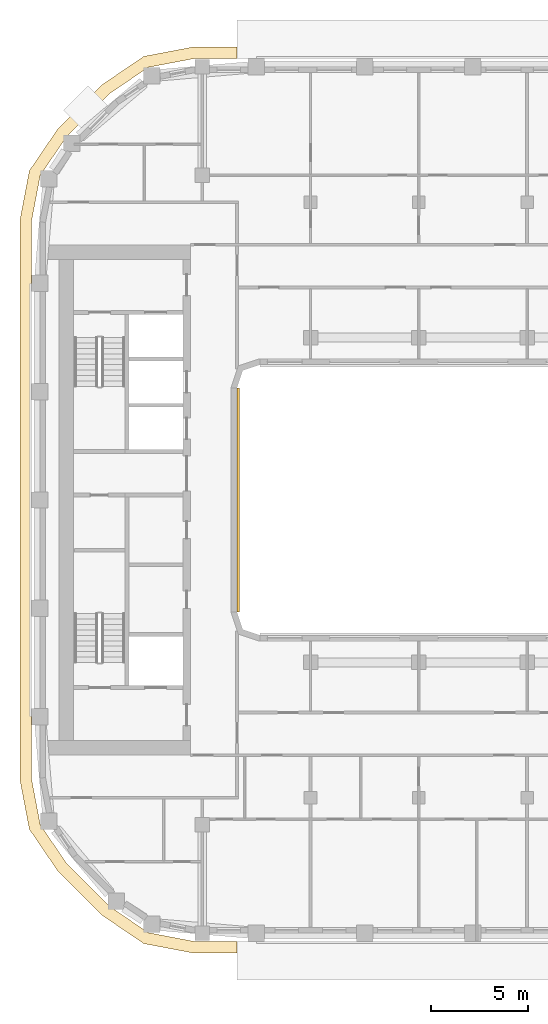
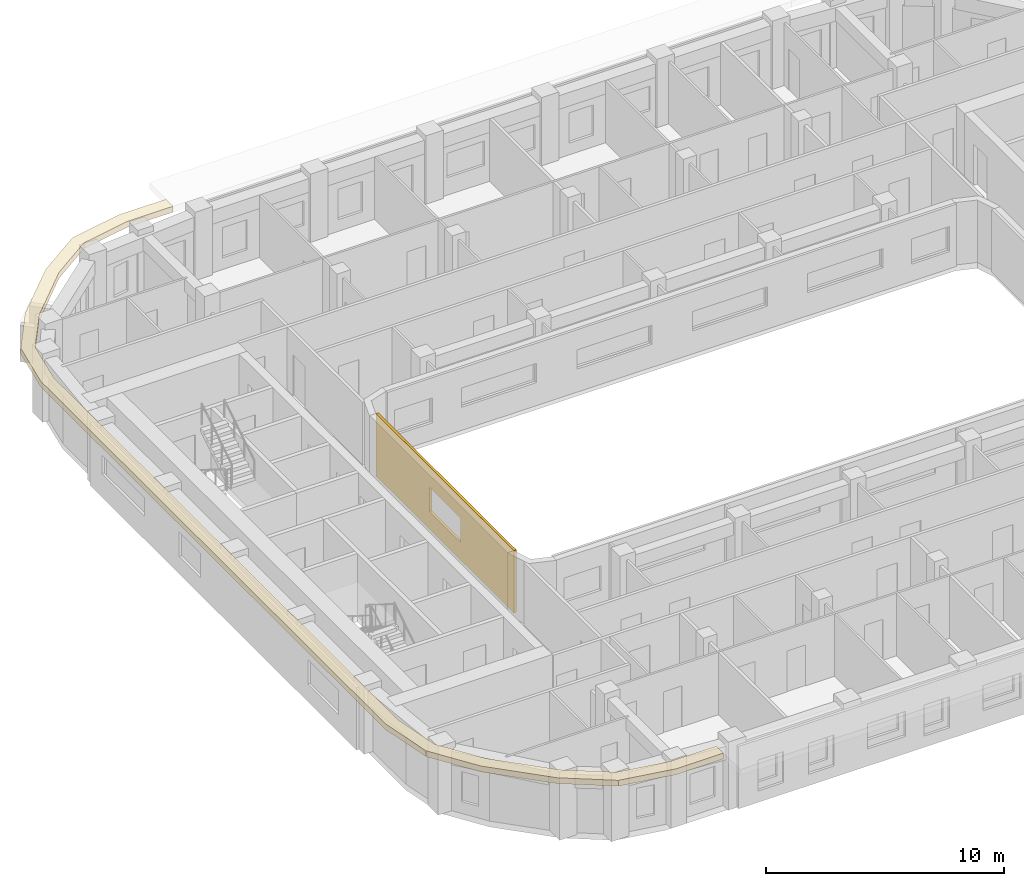
# One storey, part 13 of 21: 2 coverings.
"""IFC4 building model written with IfcOpenShell, lengths in metres."""

from ifc_helpers import new_model, si_unit, direction, frame, origin, place, context, subcontext, project, spatial, polyline, outline, extrude, material, layer, layer_set, type_object, element, save


model = new_model("IFC4")

# Units and contexts
model_context = context("Model", 3, precision=1e-05, world=origin(), true_north=direction((0.0, 1.0)))
body_context = subcontext(model_context, "Body", "Model", "MODEL_VIEW")
ifc_project = project(units=[si_unit("LENGTHUNIT", "METRE"), si_unit("AREAUNIT", "SQUARE_METRE"), si_unit("VOLUMEUNIT", "CUBIC_METRE"), si_unit("PLANEANGLEUNIT", "RADIAN"), si_unit("MASSUNIT", "GRAM", prefix="KILO")], contexts=[model_context])

# Site, building, storey
site_placement = place(None, origin())
site = spatial("IfcSite", under=ifc_project, at=site_placement, CompositionType="ELEMENT")
building_placement = place(site_placement, origin())
building = spatial("IfcBuilding", under=site, at=building_placement, Name="Kiln Ring Residences", CompositionType="ELEMENT")
storey_placement = place(building_placement, frame((0.0, 0.0, 216.89990234375)))
storey = spatial("IfcBuildingStorey", under=building, at=storey_placement, Name="L56", CompositionType="ELEMENT", Elevation=216.89990234375)

# Coverings
ifc_material_1 = material(Name="Brick masonry, dark clay brick", Category="masonry")
ifc_layer_1 = layer(ifc_material_1, 0.1201171875)
ifc_layer_set_1 = layer_set([ifc_layer_1], Name="RAINSCREEN PANEL 120")
covering_type_1 = type_object("IfcCoveringType", Name="RAINSCREEN PANEL 120", PredefinedType="CLADDING", material=ifc_layer_set_1)
covering_1_placement = place(storey_placement, frame((-14.93994140625, -5.800048828125, 0.0), z_axis=(0.0, 0.0, 1.0), x_axis=(0.0, 1.0, 0.0)))
element("IfcCovering", 1, at=covering_1_placement, inside=storey, type_object=covering_type_1, Name="RAINSCREEN L56", PredefinedType="CLADDING", context=body_context, shape_type="SweptSolid", body=[
    extrude(outline(polyline([(0.0, 0.0), (11.60009765625, 0.0), (11.60009765625, 3.2001953125), (0.0, 3.2001953125), (0.0, 0.0)]), holes=[polyline([(4.5, 2.150146484375), (4.5, 0.900146484375), (7.10009765625, 0.900146484375), (7.10009765625, 2.150146484375), (4.5, 2.150146484375)])]), frame((0.0, 0.06005859375, 0.0), z_axis=(0.0, -1.0, 0.0), x_axis=(1.0, 0.0, 0.0)), (0.0, 0.0, 1.0), 0.1201171875),
])
ifc_material_2 = material(Name="Black powder-coated steel", Category="steel")
ifc_layer_2 = layer(ifc_material_2, 0.300048828125)
ifc_layer_set_2 = layer_set([ifc_layer_2], Name="SUNSHADE FIN 600")
covering_type_2 = type_object("IfcCoveringType", Name="SUNSHADE FIN 600", PredefinedType="CLADDING", material=ifc_layer_set_2)
covering_2_placement = place(storey_placement, frame((0.0, 0.0, 3.2001953125)))
element("IfcCovering", 2, at=covering_2_placement, inside=storey, type_object=covering_type_2, Name="SUNSHADE FIN L56", PredefinedType="CLADDING", context=body_context, shape_type="SweptSolid", body=[
    extrude(outline(polyline([(-26.22509765625, -14.496826171875), (-25.742919921875, -17.02490234375), (-24.296142578125, -19.1533203125), (-21.953369140625, -21.49609375), (-19.82470703125, -22.94287109375), (-17.296875, -23.425048828125), (-15.0, -23.425048828125), (-15.0, -22.824951171875), (-17.240234375, -22.824951171875), (-19.59033203125, -22.376708984375), (-21.569091796875, -21.031982421875), (-23.831787109375, -18.769287109375), (-25.1767578125, -16.790283203125), (-25.625, -14.440185546875), (-25.625, 14.440185546875), (-25.1767578125, 16.790283203125), (-23.831787109375, 18.769287109375), (-21.569091796875, 21.031982421875), (-19.59033203125, 22.376708984375), (-17.240234375, 22.824951171875), (-15.0, 22.824951171875), (-15.0, 23.425048828125), (-17.296875, 23.425048828125), (-19.82470703125, 22.94287109375), (-21.953369140625, 21.49609375), (-24.296142578125, 19.1533203125), (-25.742919921875, 17.02490234375), (-26.22509765625, 14.496826171875), (-26.22509765625, -14.496826171875)])), origin(), (0.0, 0.0, 1.0), 0.2998046875),
])

save(model, "model.ifc")
